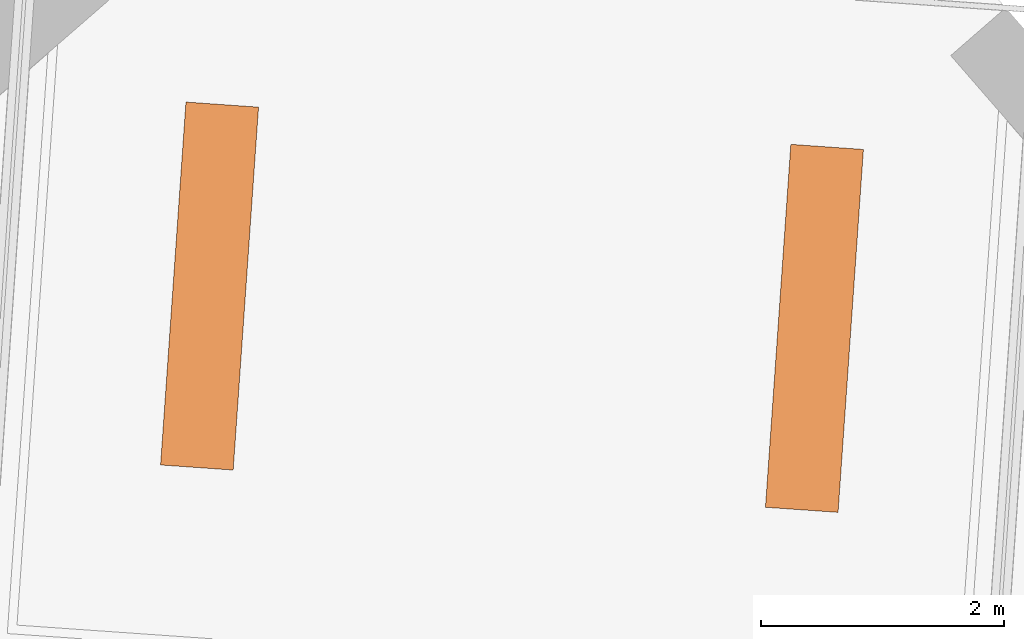
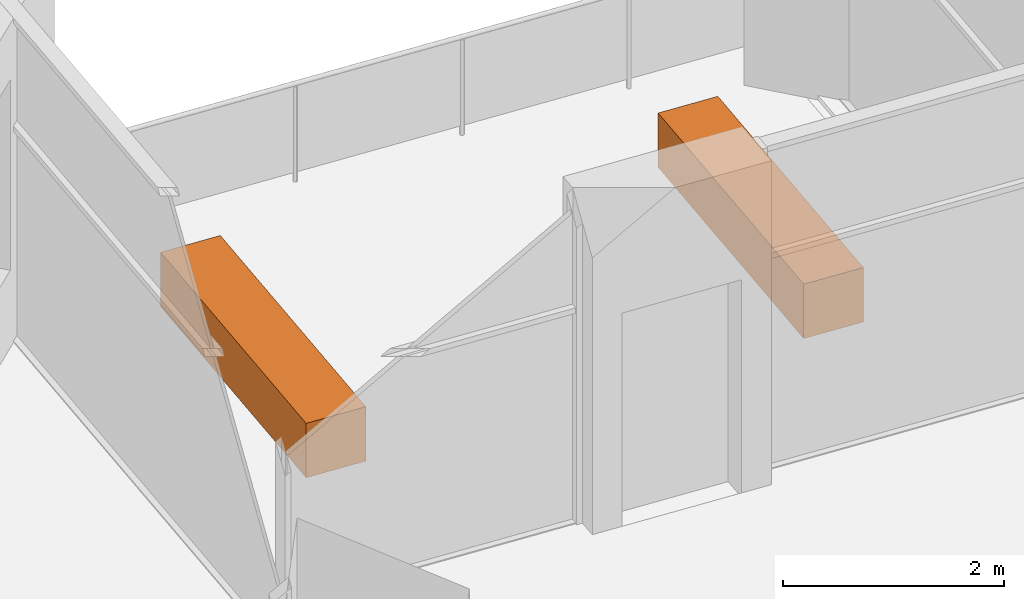
# One storey, part 11 of 11: 2 proxies.
"""IFC4 building model written with IfcOpenShell, lengths in metres."""

from ifc_helpers import new_model, si_unit, direction, frame, origin, origin_2d, place, context, subcontext, project, spatial, rectangle, extrude, element, save


model = new_model("IFC4")

# Units and contexts
model_context = context("Model", 3, precision=1e-05, world=origin(), true_north=direction((0.0, 1.0)))
body_context = subcontext(model_context, "Body", "Model", "MODEL_VIEW")
ifc_project = project(units=[si_unit("LENGTHUNIT", "METRE"), si_unit("AREAUNIT", "SQUARE_METRE"), si_unit("VOLUMEUNIT", "CUBIC_METRE"), si_unit("PLANEANGLEUNIT", "RADIAN"), si_unit("MASSUNIT", "GRAM", prefix="KILO")], contexts=[model_context])

# Site, building, storey
site_placement = place(None, origin())
site = spatial("IfcSite", under=ifc_project, at=site_placement, CompositionType="ELEMENT")
building_placement = place(site_placement, origin())
building = spatial("IfcBuilding", under=site, at=building_placement, Name="Dilmun Exchange Tower", CompositionType="ELEMENT")
storey_placement = place(building_placement, frame((0.0, 0.0, 189.300048828125)))
storey = spatial("IfcBuildingStorey", under=building, at=storey_placement, Name="L44", CompositionType="ELEMENT", Elevation=189.300048828125)

# Proxies
for number, where, z_axis, x_axis, name in (
    (1, (8.27099609375, 31.755615234375, 0.0), (0.0, 0.0, 1.0), (0.069756473744, 0.99756405026, 0.0), "PLANTER Desert shrub L44.1"),
    (2, (3.282958984375, 32.1044921875, 0.0), (0.0, 0.0, 1.0), (0.069756473744, 0.99756405026, 0.0), "PLANTER Desert shrub L44.2"),
):
    element("IfcBuildingElementProxy", number, at=place(storey_placement, frame(where, z_axis=z_axis, x_axis=x_axis)), inside=storey, Name=name, ObjectType="PLANTER", PredefinedType="USERDEFINED", context=body_context, shape_type="SweptSolid", body=[
        extrude(rectangle(XDim=3.0, YDim=0.60009765625, at=origin_2d()), origin(), (0.0, 0.0, 1.0), 0.60009765625),
    ])

save(model, "model.ifc")
